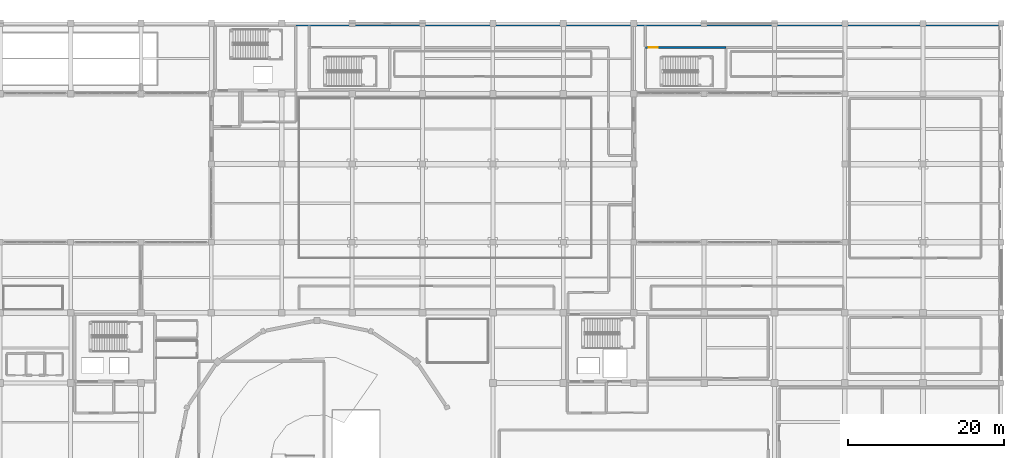
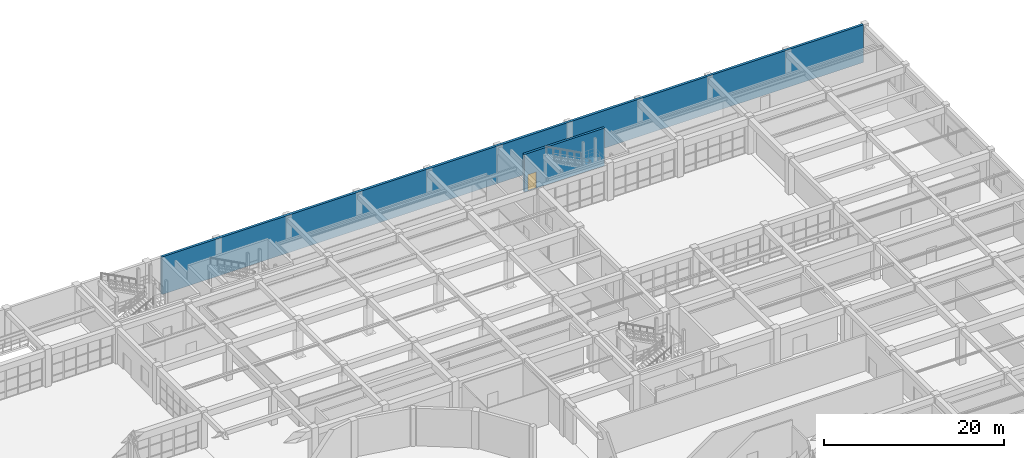
# One storey, part 110 of 128: 2 walls, 1 door, 1 opening.
"""IFC4 building model written with IfcOpenShell, lengths in metres."""

from ifc_helpers import new_model, si_unit, direction, frame, frame_2d, origin, place, context, subcontext, project, spatial, rectangle, extrude, material, layer, layer_set, type_object, element, fill, save


model = new_model("IFC4")

# Units and contexts
model_context = context("Model", 3, precision=1e-05, world=origin(), true_north=direction((0.0, 1.0)))
body_context = subcontext(model_context, "Body", "Model", "MODEL_VIEW")
ifc_project = project(units=[si_unit("LENGTHUNIT", "METRE"), si_unit("AREAUNIT", "SQUARE_METRE"), si_unit("VOLUMEUNIT", "CUBIC_METRE"), si_unit("PLANEANGLEUNIT", "RADIAN"), si_unit("MASSUNIT", "GRAM", prefix="KILO")], contexts=[model_context])

# Site, building, storey
site_placement = place(None, origin())
site = spatial("IfcSite", under=ifc_project, at=site_placement, CompositionType="ELEMENT")
building_placement = place(site_placement, origin())
building = spatial("IfcBuilding", under=site, at=building_placement, Name="Miravela Opera House", CompositionType="ELEMENT")
storey_placement = place(building_placement, origin())
storey = spatial("IfcBuildingStorey", under=building, at=storey_placement, Name="L00", CompositionType="ELEMENT", Elevation=0.0)

# Wall
ifc_material_1 = material(Name="Concrete C35/45", Category="concrete")
ifc_layer_1 = layer(ifc_material_1, 0.320068359375)
ifc_layer_set_1 = layer_set([ifc_layer_1])
wall_type_1 = type_object("IfcWallType", Name="STR-WALL-PARTY-320", PredefinedType="SHEAR", material=ifc_layer_set_1)
wall_1_placement = place(storey_placement, frame((73.77490234375, 111.840087890625, 0.0), z_axis=(0.0, 0.0, 1.0), x_axis=(1.0, 0.0, 0.0)))
element("IfcWall", 1, at=wall_1_placement, inside=storey, type_object=wall_type_1, Name="North Lot-Line Blind Fire Party Wall East (L00)", PredefinedType="SHEAR", context=body_context, shape_type="SweptSolid", body=[
    extrude(rectangle(XDim=89.875, YDim=0.320068359375, at=frame_2d((44.9375, 0.0))), origin(), (0.0, 0.0, 1.0), 5.10009765625),
])

# Wall, opening, door
ifc_layer_2 = layer(ifc_material_1, 0.300048828125)
ifc_layer_set_2 = layer_set([ifc_layer_2])
wall_type_2 = type_object("IfcWallType", Name="STR-WALL-WING-300", PredefinedType="SHEAR", material=ifc_layer_set_2)
wall_2_placement = place(storey_placement, frame((118.5, 108.89990234375, 0.0), z_axis=(0.0, 0.0, 1.0), x_axis=(1.0, 0.0, 0.0)))
wall_2 = element("IfcWall", 2, at=wall_2_placement, inside=storey, type_object=wall_type_2, Name="Core ST-09 Shear Wall North (L00)", PredefinedType="SHEAR", context=body_context, shape_type="SweptSolid", body=[
    extrude(rectangle(XDim=10.300048828125, YDim=0.300048828125, at=frame_2d((5.14990234375, 0.0))), origin(), (0.0, 0.0, 1.0), 5.10009765625),
])
opening_placement = place(wall_2_placement, frame((0.449951171875, 0.0, 0.0)))
opening = element("IfcOpeningElement", 3, at=opening_placement, cuts=wall_2, Name="Opening FD-01", PredefinedType="OPENING", context=body_context, shape_type="SweptSolid", body=[
    extrude(rectangle(XDim=1.10009765625, YDim=2.199951171875, at=frame_2d((0.550048828125, 1.10009765625))), frame((0.0, 0.159912109375, 0.0), z_axis=(0.0, -1.0, 0.0), x_axis=(1.0, 0.0, 0.0)), (0.0, 0.0, 1.0), 0.320068359375),
])
ifc_material_2 = material(Name="Fire-rated steel/hardwood exit stair door", Category="steel")
door_type = type_object("IfcDoorType", Name="ARC-FD-1100X2200", OperationType="NOTDEFINED", PredefinedType="DOOR", material=ifc_material_2)
door_placement = place(opening_placement, frame((1.10009765625, 0.0, 0.0), z_axis=(0.0, 0.0, 1.0), x_axis=(-1.0, 0.0, 0.0)))
door = element("IfcDoor", 4, at=door_placement, inside=storey, type_object=door_type, Name="Exit Stair ST-09 Rated Door (L00) IDR-L00-0051", OperationType="SINGLE_SWING_LEFT", OverallHeight=2.199951171875, OverallWidth=1.10009765625, PredefinedType="DOOR", context=body_context, shape_type="SweptSolid", body=[
    extrude(rectangle(XDim=1.10009765625, YDim=2.199951171875, at=frame_2d((0.550048828125, 1.10009765625))), frame((0.0, 0.02490234375, 0.0), z_axis=(0.0, -1.0, 0.0), x_axis=(1.0, 0.0, 0.0)), (0.0, 0.0, 1.0), 0.050048828125),
])
fill(opening, door)

save(model, "model.ifc")
